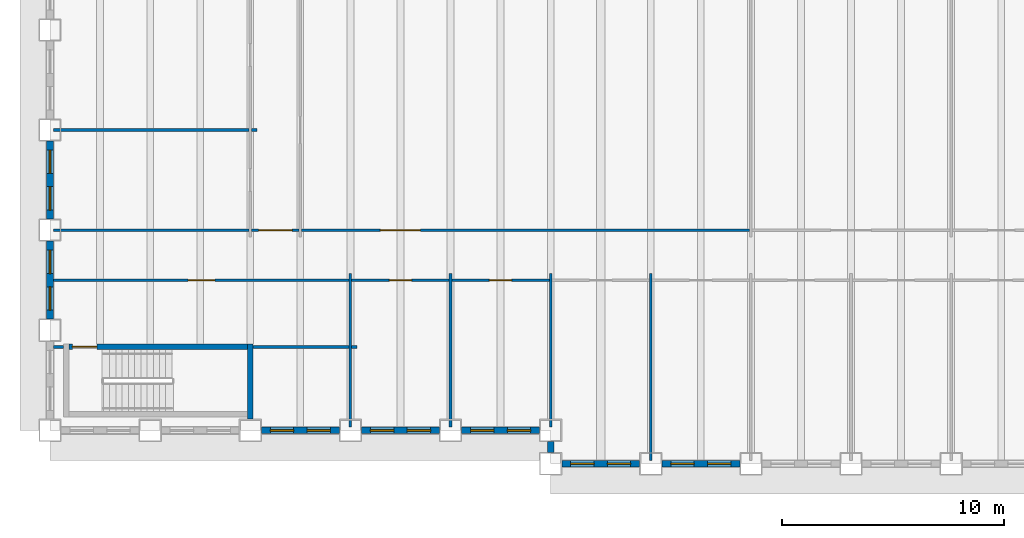
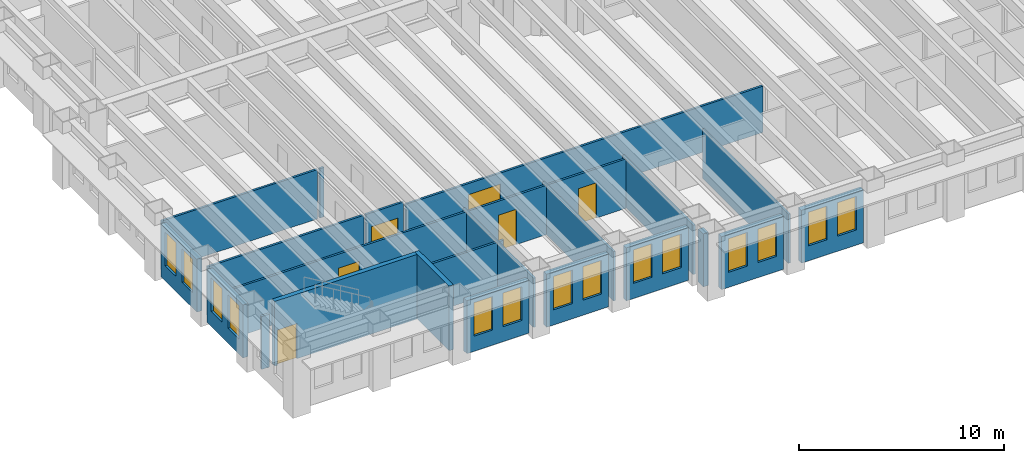
# One storey, part 3 of 16: 25 walls, 14 windows, 6 doors, 20 openings.
"""IFC4 building model written with IfcOpenShell, lengths in metres."""

from ifc_helpers import new_model, si_unit, direction, frame, frame_2d, origin, place, context, subcontext, project, spatial, rectangle, extrude, material, layer, layer_set, type_object, element, fill, save


model = new_model("IFC4")

# Units and contexts
model_context = context("Model", 3, precision=1e-05, world=origin(), true_north=direction((0.0, 1.0)))
body_context = subcontext(model_context, "Body", "Model", "MODEL_VIEW")
ifc_project = project(units=[si_unit("LENGTHUNIT", "METRE"), si_unit("AREAUNIT", "SQUARE_METRE"), si_unit("VOLUMEUNIT", "CUBIC_METRE"), si_unit("PLANEANGLEUNIT", "RADIAN"), si_unit("MASSUNIT", "GRAM", prefix="KILO")], contexts=[model_context])

# Site, building, storey
site_placement = place(None, origin())
site = spatial("IfcSite", under=ifc_project, at=site_placement, CompositionType="ELEMENT")
building_placement = place(site_placement, origin())
building = spatial("IfcBuilding", under=site, at=building_placement, Name="Sennacour Bend Tower", CompositionType="ELEMENT")
storey_placement = place(building_placement, frame((0.0, 0.0, 111.0)))
storey = spatial("IfcBuildingStorey", under=building, at=storey_placement, Name="L25", CompositionType="ELEMENT", Elevation=111.0)

# Walls
ifc_material_1 = material(Name="Plasterboard partition on steel studs", Category="steel")
ifc_layer_1 = layer(ifc_material_1, 0.1201171875, Name="Plasterboard partition on steel studs", Category="steel")
ifc_layer_set_1 = layer_set([ifc_layer_1], Name="Plasterboard partition on steel studs")
wall_type_1 = type_object("IfcWallType", Name="Partition 120", PredefinedType="PARTITIONING", material=ifc_layer_set_1)
for number, where, z_axis, x_axis, name in (
    (1, (13.5, 0.14990234375, 0.0), (0.0, 0.0, 1.0), (0.0, 1.0, 0.0), "P-L25-W014a"),
    (2, (18.0, 0.14990234375, 0.0), (0.0, 0.0, 1.0), (0.0, 1.0, 0.0), "P-L25-W018a"),
    (3, (22.5, 0.14990234375, 0.0), (0.0, 0.0, 1.0), (0.0, 1.0, 0.0), "P-L25-W023a"),
):
    element("IfcWall", number, at=place(storey_placement, frame(where, z_axis=z_axis, x_axis=x_axis)), inside=storey, type_object=wall_type_1, Name=name, PredefinedType="PARTITIONING", context=body_context, shape_type="SweptSolid", body=[
        extrude(rectangle(XDim=6.900146484375, YDim=0.1201171875, at=frame_2d((3.4501953125, 0.0))), origin(), (0.0, 0.0, 1.0), 2.93798828125),
    ])
wall_1_placement = place(storey_placement, frame((27.0, -1.35009765625, 0.0), z_axis=(0.0, 0.0, 1.0), x_axis=(0.0, 1.0, 0.0)))
element("IfcWall", 4, at=wall_1_placement, inside=storey, type_object=wall_type_1, Name="P-L25-W025a", PredefinedType="PARTITIONING", context=body_context, shape_type="SweptSolid", body=[
    extrude(rectangle(XDim=8.400146484375, YDim=0.1201171875, at=frame_2d((4.2001953125, 0.0))), origin(), (0.0, 0.0, 1.0), 2.93798828125),
])
wall_2_placement = place(storey_placement, frame((0.14990234375, 3.75, 0.0), z_axis=(0.0, 0.0, 1.0), x_axis=(1.0, 0.0, 0.0)))
element("IfcWall", 5, at=wall_2_placement, inside=storey, type_object=wall_type_1, Name="P-L25-W049a", PredefinedType="PARTITIONING", context=body_context, shape_type="SweptSolid", body=[
    extrude(rectangle(XDim=0.4501953125, YDim=0.1201171875, at=frame_2d((0.22509765625, 0.0))), origin(), (0.0, 0.0, 1.0), 3.154052734375),
])
wall_3_placement = place(storey_placement, frame((9.125, 3.75, 0.0), z_axis=(0.0, 0.0, 1.0), x_axis=(1.0, 0.0, 0.0)))
element("IfcWall", 6, at=wall_3_placement, inside=storey, type_object=wall_type_1, Name="P-L25-W051aa", PredefinedType="PARTITIONING", context=body_context, shape_type="SweptSolid", body=[
    extrude(rectangle(XDim=4.31494140625, YDim=0.1201171875, at=frame_2d((2.157470703125, 0.0))), origin(), (0.0, 0.0, 1.0), 2.93798828125),
])
wall_4_placement = place(storey_placement, frame((13.56005859375, 3.75, 0.0), z_axis=(0.0, 0.0, 1.0), x_axis=(1.0, 0.0, 0.0)))
element("IfcWall", 7, at=wall_4_placement, inside=storey, type_object=wall_type_1, Name="P-L25-W051ab", PredefinedType="PARTITIONING", context=body_context, shape_type="SweptSolid", body=[
    extrude(rectangle(XDim=0.239990234375, YDim=0.1201171875, at=frame_2d((0.1201171875, 0.0))), origin(), (0.0, 0.0, 1.0), 2.93798828125),
])

# Wall, opening, door
wall_5_placement = place(storey_placement, frame((13.56005859375, 6.75, 0.0), z_axis=(0.0, 0.0, 1.0), x_axis=(1.0, 0.0, 0.0)))
wall_5 = element("IfcWall", 8, at=wall_5_placement, inside=storey, type_object=wall_type_1, Name="P-L25-W056ab", PredefinedType="PARTITIONING", context=body_context, shape_type="SweptSolid", body=[
    extrude(rectangle(XDim=4.3798828125, YDim=0.1201171875, at=frame_2d((2.18994140625, 0.0))), origin(), (0.0, 0.0, 1.0), 2.93798828125),
])
opening_1_placement = place(wall_5_placement, frame((1.68994140625, 0.0, 0.0)))
opening_1 = element("IfcOpeningElement", 9, at=opening_1_placement, cuts=wall_5, Name="Opening OD2", PredefinedType="OPENING", context=body_context, shape_type="SweptSolid", body=[
    extrude(rectangle(XDim=1.0, YDim=2.10009765625, at=frame_2d((0.5, 1.050048828125))), frame((0.0, 0.070068359375, 0.0), z_axis=(0.0, -1.0, 0.0), x_axis=(1.0, 0.0, 0.0)), (0.0, 0.0, 1.0), 0.14013671875),
])
ifc_material_2 = material(Name="Timber", Category="wood")
door_type_1 = type_object("IfcDoorType", Name="DR-OFFICE-1000", OperationType="NOTDEFINED", PredefinedType="DOOR", material=ifc_material_2)
door_1_placement = place(opening_1_placement, origin())
door_1 = element("IfcDoor", 10, at=door_1_placement, inside=storey, type_object=door_type_1, Name="Door", OperationType="SINGLE_SWING_LEFT", OverallHeight=2.10009765625, OverallWidth=1.0, PredefinedType="DOOR", context=body_context, shape_type="SweptSolid", body=[
    extrude(rectangle(XDim=1.0, YDim=2.10009765625, at=frame_2d((0.5, 1.050048828125))), frame((0.0, 0.02490234375, 0.0), z_axis=(0.0, -1.0, 0.0), x_axis=(1.0, 0.0, 0.0)), (0.0, 0.0, 1.0), 0.050048828125),
])
fill(opening_1, door_1)

wall_6_placement = place(storey_placement, frame((18.06005859375, 6.75, 0.0), z_axis=(0.0, 0.0, 1.0), x_axis=(1.0, 0.0, 0.0)))
wall_6 = element("IfcWall", 11, at=wall_6_placement, inside=storey, type_object=wall_type_1, Name="P-L25-W056ac", PredefinedType="PARTITIONING", context=body_context, shape_type="SweptSolid", body=[
    extrude(rectangle(XDim=4.3798828125, YDim=0.1201171875, at=frame_2d((2.18994140625, 0.0))), origin(), (0.0, 0.0, 1.0), 2.93798828125),
])
opening_2_placement = place(wall_6_placement, frame((1.68994140625, 0.0, 0.0)))
opening_2 = element("IfcOpeningElement", 12, at=opening_2_placement, cuts=wall_6, Name="Opening OD2", PredefinedType="OPENING", context=body_context, shape_type="SweptSolid", body=[
    extrude(rectangle(XDim=1.0, YDim=2.10009765625, at=frame_2d((0.5, 1.050048828125))), frame((0.0, 0.070068359375, 0.0), z_axis=(0.0, -1.0, 0.0), x_axis=(1.0, 0.0, 0.0)), (0.0, 0.0, 1.0), 0.14013671875),
])
door_2_placement = place(opening_2_placement, origin())
door_2 = element("IfcDoor", 13, at=door_2_placement, inside=storey, type_object=door_type_1, Name="Door", OperationType="SINGLE_SWING_LEFT", OverallHeight=2.10009765625, OverallWidth=1.0, PredefinedType="DOOR", context=body_context, shape_type="SweptSolid", body=[
    extrude(rectangle(XDim=1.0, YDim=2.10009765625, at=frame_2d((0.5, 1.050048828125))), frame((0.0, 0.02490234375, 0.0), z_axis=(0.0, -1.0, 0.0), x_axis=(1.0, 0.0, 0.0)), (0.0, 0.0, 1.0), 0.050048828125),
])
fill(opening_2, door_2)

# Wall
wall_7_placement = place(storey_placement, frame((0.14990234375, 9.0, 0.0), z_axis=(0.0, 0.0, 1.0), x_axis=(1.0, 0.0, 0.0)))
element("IfcWall", 14, at=wall_7_placement, inside=storey, type_object=wall_type_1, Name="P-L25-W057aa", PredefinedType="PARTITIONING", context=body_context, shape_type="SweptSolid", body=[
    extrude(rectangle(XDim=8.7900390625, YDim=0.1201171875, at=frame_2d((4.39501953125, 0.0))), origin(), (0.0, 0.0, 1.0), 2.93798828125),
])

# Wall, opening, door
wall_8_placement = place(storey_placement, frame((11.31005859375, 9.0, 0.0), z_axis=(0.0, 0.0, 1.0), x_axis=(1.0, 0.0, 0.0)))
wall_8 = element("IfcWall", 15, at=wall_8_placement, inside=storey, type_object=wall_type_1, Name="P-L25-W057ac", PredefinedType="PARTITIONING", context=body_context, shape_type="SweptSolid", body=[
    extrude(rectangle(XDim=20.1298828125, YDim=0.1201171875, at=frame_2d((10.06494140625, 0.0))), origin(), (0.0, 0.0, 1.0), 2.760009765625),
])
opening_3_placement = place(wall_8_placement, frame((3.539794921875, 0.0, 0.0)))
opening_3 = element("IfcOpeningElement", 16, at=opening_3_placement, cuts=wall_8, Name="Opening OD3", PredefinedType="OPENING", context=body_context, shape_type="SweptSolid", body=[
    extrude(rectangle(XDim=1.800048828125, YDim=2.10009765625, at=frame_2d((0.89990234375, 1.050048828125))), frame((0.0, 0.070068359375, 0.0), z_axis=(0.0, -1.0, 0.0), x_axis=(1.0, 0.0, 0.0)), (0.0, 0.0, 1.0), 0.14013671875),
])
door_type_2 = type_object("IfcDoorType", Name="DR-OFFICE-1800", OperationType="NOTDEFINED", PredefinedType="DOOR", material=ifc_material_2)
door_3_placement = place(opening_3_placement, origin())
door_3 = element("IfcDoor", 17, at=door_3_placement, inside=storey, type_object=door_type_2, Name="Door", OperationType="DOUBLE_DOOR_SINGLE_SWING", OverallHeight=2.10009765625, OverallWidth=1.800048828125, PredefinedType="DOOR", context=body_context, shape_type="SweptSolid", body=[
    extrude(rectangle(XDim=1.800048828125, YDim=2.10009765625, at=frame_2d((0.89990234375, 1.050048828125))), frame((0.0, 0.02490234375, 0.0), z_axis=(0.0, -1.0, 0.0), x_axis=(1.0, 0.0, 0.0)), (0.0, 0.0, 1.0), 0.050048828125),
])
fill(opening_3, door_3)

# Walls
wall_9_placement = place(storey_placement, frame((0.14990234375, 13.5, 0.0), z_axis=(0.0, 0.0, 1.0), x_axis=(1.0, 0.0, 0.0)))
element("IfcWall", 18, at=wall_9_placement, inside=storey, type_object=wall_type_1, Name="P-L25-W060aa", PredefinedType="PARTITIONING", context=body_context, shape_type="SweptSolid", body=[
    extrude(rectangle(XDim=8.7900390625, YDim=0.1201171875, at=frame_2d((4.39501953125, 0.0))), origin(), (0.0, 0.0, 1.0), 2.93798828125),
])
wall_10_placement = place(storey_placement, frame((9.06005859375, 13.5, 0.0), z_axis=(0.0, 0.0, 1.0), x_axis=(1.0, 0.0, 0.0)))
element("IfcWall", 19, at=wall_10_placement, inside=storey, type_object=wall_type_1, Name="P-L25-W060ab", PredefinedType="PARTITIONING", context=body_context, shape_type="SweptSolid", body=[
    extrude(rectangle(XDim=0.239990234375, YDim=0.1201171875, at=frame_2d((0.1201171875, 0.0))), origin(), (0.0, 0.0, 1.0), 2.93798828125),
])

# Wall, opening, door
ifc_layer_2 = layer(ifc_material_1, 0.1201171875, Name="Plasterboard partition on steel studs", Category="steel")
ifc_layer_set_2 = layer_set([ifc_layer_2], Name="Plasterboard partition on steel studs")
wall_type_2 = type_object("IfcWallType", Name="Partition 120 EI 30", PredefinedType="PARTITIONING", material=ifc_layer_set_2)
wall_11_placement = place(storey_placement, frame((0.14990234375, 6.75, 0.0), z_axis=(0.0, 0.0, 1.0), x_axis=(1.0, 0.0, 0.0)))
wall_11 = element("IfcWall", 20, at=wall_11_placement, inside=storey, type_object=wall_type_2, Name="P-L25-W056aa", PredefinedType="PARTITIONING", context=body_context, shape_type="SweptSolid", body=[
    extrude(rectangle(XDim=13.2900390625, YDim=0.1201171875, at=frame_2d((6.64501953125, 0.0))), origin(), (0.0, 0.0, 1.0), 2.93798828125),
])
opening_4_placement = place(wall_11_placement, frame((6.05517578125, 0.0, 0.0)))
opening_4 = element("IfcOpeningElement", 21, at=opening_4_placement, cuts=wall_11, Name="Opening KD2", PredefinedType="OPENING", context=body_context, shape_type="SweptSolid", body=[
    extrude(rectangle(XDim=1.199951171875, YDim=2.10009765625, at=frame_2d((0.60009765625, 1.050048828125))), frame((0.0, 0.070068359375, 0.0), z_axis=(0.0, -1.0, 0.0), x_axis=(1.0, 0.0, 0.0)), (0.0, 0.0, 1.0), 0.14013671875),
])
ifc_material_3 = material(Name="Painted steel", Category="steel")
door_type_3 = type_object("IfcDoorType", Name="DR-CORRIDOR-1200", OperationType="NOTDEFINED", PredefinedType="DOOR", material=ifc_material_3)
door_4_placement = place(opening_4_placement, origin())
door_4 = element("IfcDoor", 22, at=door_4_placement, inside=storey, type_object=door_type_3, Name="Door", OperationType="SINGLE_SWING_LEFT", OverallHeight=2.10009765625, OverallWidth=1.199951171875, PredefinedType="DOOR", context=body_context, shape_type="SweptSolid", body=[
    extrude(rectangle(XDim=1.199951171875, YDim=2.10009765625, at=frame_2d((0.60009765625, 1.050048828125))), frame((0.0, 0.02490234375, 0.0), z_axis=(0.0, -1.0, 0.0), x_axis=(1.0, 0.0, 0.0)), (0.0, 0.0, 1.0), 0.050048828125),
])
fill(opening_4, door_4)

wall_12_placement = place(storey_placement, frame((9.06005859375, 9.0, 0.0), z_axis=(0.0, 0.0, 1.0), x_axis=(1.0, 0.0, 0.0)))
wall_12 = element("IfcWall", 23, at=wall_12_placement, inside=storey, type_object=wall_type_2, Name="P-L25-W057ab", PredefinedType="PARTITIONING", context=body_context, shape_type="SweptSolid", body=[
    extrude(rectangle(XDim=2.1298828125, YDim=0.1201171875, at=frame_2d((1.06494140625, 0.0))), origin(), (0.0, 0.0, 1.0), 2.93798828125),
])
opening_5_placement = place(wall_12_placement, frame((0.31494140625, 0.0, 0.0)))
opening_5 = element("IfcOpeningElement", 24, at=opening_5_placement, cuts=wall_12, Name="Opening KD", PredefinedType="OPENING", context=body_context, shape_type="SweptSolid", body=[
    extrude(rectangle(XDim=1.5, YDim=2.10009765625, at=frame_2d((0.75, 1.050048828125))), frame((0.0, 0.070068359375, 0.0), z_axis=(0.0, -1.0, 0.0), x_axis=(1.0, 0.0, 0.0)), (0.0, 0.0, 1.0), 0.14013671875),
])
door_type_4 = type_object("IfcDoorType", Name="DR-CORRIDOR-1500", OperationType="NOTDEFINED", PredefinedType="DOOR", material=ifc_material_3)
door_5_placement = place(opening_5_placement, origin())
door_5 = element("IfcDoor", 25, at=door_5_placement, inside=storey, type_object=door_type_4, Name="Door", OperationType="SINGLE_SWING_LEFT", OverallHeight=2.10009765625, OverallWidth=1.5, PredefinedType="DOOR", context=body_context, shape_type="SweptSolid", body=[
    extrude(rectangle(XDim=1.5, YDim=2.10009765625, at=frame_2d((0.75, 1.050048828125))), frame((0.0, 0.02490234375, 0.0), z_axis=(0.0, -1.0, 0.0), x_axis=(1.0, 0.0, 0.0)), (0.0, 0.0, 1.0), 0.050048828125),
])
fill(opening_5, door_5)

# Wall, openings, windows
ifc_material_4 = material(Name="Warm limestone cladding", Category="masonry")
ifc_layer_3 = layer(ifc_material_4, 0.050048828125, Name="Warm limestone cladding", Category="masonry")
ifc_material_5 = material(Name="Precast concrete C40/50", Category="concrete")
ifc_layer_4 = layer(ifc_material_5, 0.25, Name="Precast concrete C40/50", Category="concrete")
ifc_layer_set_3 = layer_set([ifc_layer_3, ifc_layer_4], Name="Precast concrete C40/50 with limestone cladding")
wall_type_3 = type_object("IfcWallType", Name="STONE-CLAD PRECAST SPANDREL 300", PredefinedType="STANDARD", material=ifc_layer_set_3)
wall_13_placement = place(storey_placement, frame((23.0, -1.5, 0.0), z_axis=(0.0, 0.0, 1.0), x_axis=(1.0, 0.0, 0.0)))
wall_13 = element("IfcWall", 26, at=wall_13_placement, inside=storey, type_object=wall_type_3, Name="Stone spandrel and pier wall L25 00.00", PredefinedType="STANDARD", context=body_context, shape_type="SweptSolid", body=[
    extrude(rectangle(XDim=3.5, YDim=0.300048828125, at=frame_2d((1.75, 0.0))), origin(), (0.0, 0.0, 1.0), 3.154052734375),
])
opening_6_placement = place(wall_13_placement, frame((0.39990234375, 0.0, 0.89990234375)))
opening_6 = element("IfcOpeningElement", 27, at=opening_6_placement, cuts=wall_13, Name="Opening W13", PredefinedType="OPENING", context=body_context, shape_type="SweptSolid", body=[
    extrude(rectangle(XDim=1.050048828125, YDim=2.0, at=frame_2d((0.52490234375, 1.0))), frame((0.0, 0.16015625, 0.0), z_axis=(0.0, -1.0, 0.0), x_axis=(1.0, 0.0, 0.0)), (0.0, 0.0, 1.0), 0.320068359375),
])
opening_7_placement = place(wall_13_placement, frame((2.050048828125, 0.0, 0.89990234375)))
opening_7 = element("IfcOpeningElement", 28, at=opening_7_placement, cuts=wall_13, Name="Opening W13", PredefinedType="OPENING", context=body_context, shape_type="SweptSolid", body=[
    extrude(rectangle(XDim=1.050048828125, YDim=2.0, at=frame_2d((0.52490234375, 1.0))), frame((0.0, 0.16015625, 0.0), z_axis=(0.0, -1.0, 0.0), x_axis=(1.0, 0.0, 0.0)), (0.0, 0.0, 1.0), 0.320068359375),
])
ifc_material_6 = material(Name="Clear low-emissivity glass", Category="glass")
window_type = type_object("IfcWindowType", Name="WIN-RIBBON-1050x2000", PartitioningType="SINGLE_PANEL", PredefinedType="WINDOW", material=ifc_material_6)
window_1_placement = place(opening_6_placement, origin())
window_1 = element("IfcWindow", 29, at=window_1_placement, inside=storey, type_object=window_type, Name="Ribbon window L25 00.00.0", OverallHeight=2.0, OverallWidth=1.050048828125, PartitioningType="SINGLE_PANEL", PredefinedType="WINDOW", context=body_context, shape_type="SweptSolid", body=[
    extrude(rectangle(XDim=1.050048828125, YDim=2.0, at=frame_2d((0.52490234375, 1.0))), frame((0.0, 0.030029296875, 0.0), z_axis=(0.0, -1.0, 0.0), x_axis=(1.0, 0.0, 0.0)), (0.0, 0.0, 1.0), 0.06005859375),
])
fill(opening_6, window_1)
window_2_placement = place(opening_7_placement, origin())
window_2 = element("IfcWindow", 30, at=window_2_placement, inside=storey, type_object=window_type, Name="Ribbon window L25 00.00.1", OverallHeight=2.0, OverallWidth=1.050048828125, PartitioningType="SINGLE_PANEL", PredefinedType="WINDOW", context=body_context, shape_type="SweptSolid", body=[
    extrude(rectangle(XDim=1.050048828125, YDim=2.0, at=frame_2d((0.52490234375, 1.0))), frame((0.0, 0.030029296875, 0.0), z_axis=(0.0, -1.0, 0.0), x_axis=(1.0, 0.0, 0.0)), (0.0, 0.0, 1.0), 0.06005859375),
])
fill(opening_7, window_2)

wall_14_placement = place(storey_placement, frame((27.5, -1.5, 0.0), z_axis=(0.0, 0.0, 1.0), x_axis=(1.0, 0.0, 0.0)))
wall_14 = element("IfcWall", 31, at=wall_14_placement, inside=storey, type_object=wall_type_3, Name="Stone spandrel and pier wall L25 00.01", PredefinedType="STANDARD", context=body_context, shape_type="SweptSolid", body=[
    extrude(rectangle(XDim=3.5, YDim=0.300048828125, at=frame_2d((1.75, 0.0))), origin(), (0.0, 0.0, 1.0), 3.154052734375),
])
opening_8_placement = place(wall_14_placement, frame((0.39990234375, 0.0, 0.89990234375)))
opening_8 = element("IfcOpeningElement", 32, at=opening_8_placement, cuts=wall_14, Name="Opening W13", PredefinedType="OPENING", context=body_context, shape_type="SweptSolid", body=[
    extrude(rectangle(XDim=1.050048828125, YDim=2.0, at=frame_2d((0.52490234375, 1.0))), frame((0.0, 0.16015625, 0.0), z_axis=(0.0, -1.0, 0.0), x_axis=(1.0, 0.0, 0.0)), (0.0, 0.0, 1.0), 0.320068359375),
])
opening_9_placement = place(wall_14_placement, frame((2.050048828125, 0.0, 0.89990234375)))
opening_9 = element("IfcOpeningElement", 33, at=opening_9_placement, cuts=wall_14, Name="Opening W13", PredefinedType="OPENING", context=body_context, shape_type="SweptSolid", body=[
    extrude(rectangle(XDim=1.050048828125, YDim=2.0, at=frame_2d((0.52490234375, 1.0))), frame((0.0, 0.16015625, 0.0), z_axis=(0.0, -1.0, 0.0), x_axis=(1.0, 0.0, 0.0)), (0.0, 0.0, 1.0), 0.320068359375),
])
window_3_placement = place(opening_8_placement, origin())
window_3 = element("IfcWindow", 34, at=window_3_placement, inside=storey, type_object=window_type, Name="Ribbon window L25 00.01.0", OverallHeight=2.0, OverallWidth=1.050048828125, PartitioningType="SINGLE_PANEL", PredefinedType="WINDOW", context=body_context, shape_type="SweptSolid", body=[
    extrude(rectangle(XDim=1.050048828125, YDim=2.0, at=frame_2d((0.52490234375, 1.0))), frame((0.0, 0.030029296875, 0.0), z_axis=(0.0, -1.0, 0.0), x_axis=(1.0, 0.0, 0.0)), (0.0, 0.0, 1.0), 0.06005859375),
])
fill(opening_8, window_3)
window_4_placement = place(opening_9_placement, origin())
window_4 = element("IfcWindow", 35, at=window_4_placement, inside=storey, type_object=window_type, Name="Ribbon window L25 00.01.1", OverallHeight=2.0, OverallWidth=1.050048828125, PartitioningType="SINGLE_PANEL", PredefinedType="WINDOW", context=body_context, shape_type="SweptSolid", body=[
    extrude(rectangle(XDim=1.050048828125, YDim=2.0, at=frame_2d((0.52490234375, 1.0))), frame((0.0, 0.030029296875, 0.0), z_axis=(0.0, -1.0, 0.0), x_axis=(1.0, 0.0, 0.0)), (0.0, 0.0, 1.0), 0.06005859375),
])
fill(opening_9, window_4)

wall_15_placement = place(storey_placement, frame((0.0, 13.0, 0.0), z_axis=(0.0, 0.0, 1.0), x_axis=(0.0, -1.0, 0.0)))
wall_15 = element("IfcWall", 36, at=wall_15_placement, inside=storey, type_object=wall_type_3, Name="Stone spandrel and pier wall L25 21.02", PredefinedType="STANDARD", context=body_context, shape_type="SweptSolid", body=[
    extrude(rectangle(XDim=3.5, YDim=0.300048828125, at=frame_2d((1.75, 0.0))), origin(), (0.0, 0.0, 1.0), 3.154052734375),
])
opening_10_placement = place(wall_15_placement, frame((0.39990234375, 0.0, 0.89990234375)))
opening_10 = element("IfcOpeningElement", 37, at=opening_10_placement, cuts=wall_15, Name="Opening W13", PredefinedType="OPENING", context=body_context, shape_type="SweptSolid", body=[
    extrude(rectangle(XDim=1.050048828125, YDim=2.0, at=frame_2d((0.52490234375, 1.0))), frame((0.0, 0.16015625, 0.0), z_axis=(0.0, -1.0, 0.0), x_axis=(1.0, 0.0, 0.0)), (0.0, 0.0, 1.0), 0.320068359375),
])
opening_11_placement = place(wall_15_placement, frame((2.050048828125, 0.0, 0.89990234375)))
opening_11 = element("IfcOpeningElement", 38, at=opening_11_placement, cuts=wall_15, Name="Opening W13", PredefinedType="OPENING", context=body_context, shape_type="SweptSolid", body=[
    extrude(rectangle(XDim=1.050048828125, YDim=2.0, at=frame_2d((0.52490234375, 1.0))), frame((0.0, 0.16015625, 0.0), z_axis=(0.0, -1.0, 0.0), x_axis=(1.0, 0.0, 0.0)), (0.0, 0.0, 1.0), 0.320068359375),
])
window_5_placement = place(opening_10_placement, origin())
window_5 = element("IfcWindow", 39, at=window_5_placement, inside=storey, type_object=window_type, Name="Ribbon window L25 21.02.0", OverallHeight=2.0, OverallWidth=1.050048828125, PartitioningType="SINGLE_PANEL", PredefinedType="WINDOW", context=body_context, shape_type="SweptSolid", body=[
    extrude(rectangle(XDim=1.050048828125, YDim=2.0, at=frame_2d((0.52490234375, 1.0))), frame((0.0, 0.030029296875, 0.0), z_axis=(0.0, -1.0, 0.0), x_axis=(1.0, 0.0, 0.0)), (0.0, 0.0, 1.0), 0.06005859375),
])
fill(opening_10, window_5)
window_6_placement = place(opening_11_placement, origin())
window_6 = element("IfcWindow", 40, at=window_6_placement, inside=storey, type_object=window_type, Name="Ribbon window L25 21.02.1", OverallHeight=2.0, OverallWidth=1.050048828125, PartitioningType="SINGLE_PANEL", PredefinedType="WINDOW", context=body_context, shape_type="SweptSolid", body=[
    extrude(rectangle(XDim=1.050048828125, YDim=2.0, at=frame_2d((0.52490234375, 1.0))), frame((0.0, 0.030029296875, 0.0), z_axis=(0.0, -1.0, 0.0), x_axis=(1.0, 0.0, 0.0)), (0.0, 0.0, 1.0), 0.06005859375),
])
fill(opening_11, window_6)

wall_16_placement = place(storey_placement, frame((0.0, 8.5, 0.0), z_axis=(0.0, 0.0, 1.0), x_axis=(0.0, -1.0, 0.0)))
wall_16 = element("IfcWall", 41, at=wall_16_placement, inside=storey, type_object=wall_type_3, Name="Stone spandrel and pier wall L25 21.03", PredefinedType="STANDARD", context=body_context, shape_type="SweptSolid", body=[
    extrude(rectangle(XDim=3.5, YDim=0.300048828125, at=frame_2d((1.75, 0.0))), origin(), (0.0, 0.0, 1.0), 3.154052734375),
])
opening_12_placement = place(wall_16_placement, frame((0.39990234375, 0.0, 0.89990234375)))
opening_12 = element("IfcOpeningElement", 42, at=opening_12_placement, cuts=wall_16, Name="Opening W13", PredefinedType="OPENING", context=body_context, shape_type="SweptSolid", body=[
    extrude(rectangle(XDim=1.050048828125, YDim=2.0, at=frame_2d((0.52490234375, 1.0))), frame((0.0, 0.16015625, 0.0), z_axis=(0.0, -1.0, 0.0), x_axis=(1.0, 0.0, 0.0)), (0.0, 0.0, 1.0), 0.320068359375),
])
opening_13_placement = place(wall_16_placement, frame((2.050048828125, 0.0, 0.89990234375)))
opening_13 = element("IfcOpeningElement", 43, at=opening_13_placement, cuts=wall_16, Name="Opening W13", PredefinedType="OPENING", context=body_context, shape_type="SweptSolid", body=[
    extrude(rectangle(XDim=1.050048828125, YDim=2.0, at=frame_2d((0.52490234375, 1.0))), frame((0.0, 0.16015625, 0.0), z_axis=(0.0, -1.0, 0.0), x_axis=(1.0, 0.0, 0.0)), (0.0, 0.0, 1.0), 0.320068359375),
])
window_7_placement = place(opening_12_placement, origin())
window_7 = element("IfcWindow", 44, at=window_7_placement, inside=storey, type_object=window_type, Name="Ribbon window L25 21.03.0", OverallHeight=2.0, OverallWidth=1.050048828125, PartitioningType="SINGLE_PANEL", PredefinedType="WINDOW", context=body_context, shape_type="SweptSolid", body=[
    extrude(rectangle(XDim=1.050048828125, YDim=2.0, at=frame_2d((0.52490234375, 1.0))), frame((0.0, 0.030029296875, 0.0), z_axis=(0.0, -1.0, 0.0), x_axis=(1.0, 0.0, 0.0)), (0.0, 0.0, 1.0), 0.06005859375),
])
fill(opening_12, window_7)
window_8_placement = place(opening_13_placement, origin())
window_8 = element("IfcWindow", 45, at=window_8_placement, inside=storey, type_object=window_type, Name="Ribbon window L25 21.03.1", OverallHeight=2.0, OverallWidth=1.050048828125, PartitioningType="SINGLE_PANEL", PredefinedType="WINDOW", context=body_context, shape_type="SweptSolid", body=[
    extrude(rectangle(XDim=1.050048828125, YDim=2.0, at=frame_2d((0.52490234375, 1.0))), frame((0.0, 0.030029296875, 0.0), z_axis=(0.0, -1.0, 0.0), x_axis=(1.0, 0.0, 0.0)), (0.0, 0.0, 1.0), 0.06005859375),
])
fill(opening_13, window_8)

wall_17_placement = place(storey_placement, frame((9.5, 0.0, 0.0), z_axis=(0.0, 0.0, 1.0), x_axis=(1.0, 0.0, 0.0)))
wall_17 = element("IfcWall", 46, at=wall_17_placement, inside=storey, type_object=wall_type_3, Name="Stone spandrel and pier wall L25 22.02", PredefinedType="STANDARD", context=body_context, shape_type="SweptSolid", body=[
    extrude(rectangle(XDim=3.5, YDim=0.300048828125, at=frame_2d((1.75, 0.0))), origin(), (0.0, 0.0, 1.0), 3.154052734375),
])
opening_14_placement = place(wall_17_placement, frame((0.39990234375, 0.0, 0.89990234375)))
opening_14 = element("IfcOpeningElement", 47, at=opening_14_placement, cuts=wall_17, Name="Opening W13", PredefinedType="OPENING", context=body_context, shape_type="SweptSolid", body=[
    extrude(rectangle(XDim=1.050048828125, YDim=2.0, at=frame_2d((0.52490234375, 1.0))), frame((0.0, 0.16015625, 0.0), z_axis=(0.0, -1.0, 0.0), x_axis=(1.0, 0.0, 0.0)), (0.0, 0.0, 1.0), 0.320068359375),
])
opening_15_placement = place(wall_17_placement, frame((2.050048828125, 0.0, 0.89990234375)))
opening_15 = element("IfcOpeningElement", 48, at=opening_15_placement, cuts=wall_17, Name="Opening W13", PredefinedType="OPENING", context=body_context, shape_type="SweptSolid", body=[
    extrude(rectangle(XDim=1.050048828125, YDim=2.0, at=frame_2d((0.52490234375, 1.0))), frame((0.0, 0.16015625, 0.0), z_axis=(0.0, -1.0, 0.0), x_axis=(1.0, 0.0, 0.0)), (0.0, 0.0, 1.0), 0.320068359375),
])
window_9_placement = place(opening_14_placement, origin())
window_9 = element("IfcWindow", 49, at=window_9_placement, inside=storey, type_object=window_type, Name="Ribbon window L25 22.02.0", OverallHeight=2.0, OverallWidth=1.050048828125, PartitioningType="SINGLE_PANEL", PredefinedType="WINDOW", context=body_context, shape_type="SweptSolid", body=[
    extrude(rectangle(XDim=1.050048828125, YDim=2.0, at=frame_2d((0.52490234375, 1.0))), frame((0.0, 0.030029296875, 0.0), z_axis=(0.0, -1.0, 0.0), x_axis=(1.0, 0.0, 0.0)), (0.0, 0.0, 1.0), 0.06005859375),
])
fill(opening_14, window_9)
window_10_placement = place(opening_15_placement, origin())
window_10 = element("IfcWindow", 50, at=window_10_placement, inside=storey, type_object=window_type, Name="Ribbon window L25 22.02.1", OverallHeight=2.0, OverallWidth=1.050048828125, PartitioningType="SINGLE_PANEL", PredefinedType="WINDOW", context=body_context, shape_type="SweptSolid", body=[
    extrude(rectangle(XDim=1.050048828125, YDim=2.0, at=frame_2d((0.52490234375, 1.0))), frame((0.0, 0.030029296875, 0.0), z_axis=(0.0, -1.0, 0.0), x_axis=(1.0, 0.0, 0.0)), (0.0, 0.0, 1.0), 0.06005859375),
])
fill(opening_15, window_10)

wall_18_placement = place(storey_placement, frame((14.0, 0.0, 0.0), z_axis=(0.0, 0.0, 1.0), x_axis=(1.0, 0.0, 0.0)))
wall_18 = element("IfcWall", 51, at=wall_18_placement, inside=storey, type_object=wall_type_3, Name="Stone spandrel and pier wall L25 22.03", PredefinedType="STANDARD", context=body_context, shape_type="SweptSolid", body=[
    extrude(rectangle(XDim=3.5, YDim=0.300048828125, at=frame_2d((1.75, 0.0))), origin(), (0.0, 0.0, 1.0), 3.154052734375),
])
opening_16_placement = place(wall_18_placement, frame((0.39990234375, 0.0, 0.89990234375)))
opening_16 = element("IfcOpeningElement", 52, at=opening_16_placement, cuts=wall_18, Name="Opening W13", PredefinedType="OPENING", context=body_context, shape_type="SweptSolid", body=[
    extrude(rectangle(XDim=1.050048828125, YDim=2.0, at=frame_2d((0.52490234375, 1.0))), frame((0.0, 0.16015625, 0.0), z_axis=(0.0, -1.0, 0.0), x_axis=(1.0, 0.0, 0.0)), (0.0, 0.0, 1.0), 0.320068359375),
])
opening_17_placement = place(wall_18_placement, frame((2.050048828125, 0.0, 0.89990234375)))
opening_17 = element("IfcOpeningElement", 53, at=opening_17_placement, cuts=wall_18, Name="Opening W13", PredefinedType="OPENING", context=body_context, shape_type="SweptSolid", body=[
    extrude(rectangle(XDim=1.050048828125, YDim=2.0, at=frame_2d((0.52490234375, 1.0))), frame((0.0, 0.16015625, 0.0), z_axis=(0.0, -1.0, 0.0), x_axis=(1.0, 0.0, 0.0)), (0.0, 0.0, 1.0), 0.320068359375),
])
window_11_placement = place(opening_16_placement, origin())
window_11 = element("IfcWindow", 54, at=window_11_placement, inside=storey, type_object=window_type, Name="Ribbon window L25 22.03.0", OverallHeight=2.0, OverallWidth=1.050048828125, PartitioningType="SINGLE_PANEL", PredefinedType="WINDOW", context=body_context, shape_type="SweptSolid", body=[
    extrude(rectangle(XDim=1.050048828125, YDim=2.0, at=frame_2d((0.52490234375, 1.0))), frame((0.0, 0.030029296875, 0.0), z_axis=(0.0, -1.0, 0.0), x_axis=(1.0, 0.0, 0.0)), (0.0, 0.0, 1.0), 0.06005859375),
])
fill(opening_16, window_11)
window_12_placement = place(opening_17_placement, origin())
window_12 = element("IfcWindow", 55, at=window_12_placement, inside=storey, type_object=window_type, Name="Ribbon window L25 22.03.1", OverallHeight=2.0, OverallWidth=1.050048828125, PartitioningType="SINGLE_PANEL", PredefinedType="WINDOW", context=body_context, shape_type="SweptSolid", body=[
    extrude(rectangle(XDim=1.050048828125, YDim=2.0, at=frame_2d((0.52490234375, 1.0))), frame((0.0, 0.030029296875, 0.0), z_axis=(0.0, -1.0, 0.0), x_axis=(1.0, 0.0, 0.0)), (0.0, 0.0, 1.0), 0.06005859375),
])
fill(opening_17, window_12)

wall_19_placement = place(storey_placement, frame((18.5, 0.0, 0.0), z_axis=(0.0, 0.0, 1.0), x_axis=(1.0, 0.0, 0.0)))
wall_19 = element("IfcWall", 56, at=wall_19_placement, inside=storey, type_object=wall_type_3, Name="Stone spandrel and pier wall L25 22.04", PredefinedType="STANDARD", context=body_context, shape_type="SweptSolid", body=[
    extrude(rectangle(XDim=3.5, YDim=0.300048828125, at=frame_2d((1.75, 0.0))), origin(), (0.0, 0.0, 1.0), 3.154052734375),
])
opening_18_placement = place(wall_19_placement, frame((0.39990234375, 0.0, 0.89990234375)))
opening_18 = element("IfcOpeningElement", 57, at=opening_18_placement, cuts=wall_19, Name="Opening W13", PredefinedType="OPENING", context=body_context, shape_type="SweptSolid", body=[
    extrude(rectangle(XDim=1.050048828125, YDim=2.0, at=frame_2d((0.52490234375, 1.0))), frame((0.0, 0.16015625, 0.0), z_axis=(0.0, -1.0, 0.0), x_axis=(1.0, 0.0, 0.0)), (0.0, 0.0, 1.0), 0.320068359375),
])
opening_19_placement = place(wall_19_placement, frame((2.050048828125, 0.0, 0.89990234375)))
opening_19 = element("IfcOpeningElement", 58, at=opening_19_placement, cuts=wall_19, Name="Opening W13", PredefinedType="OPENING", context=body_context, shape_type="SweptSolid", body=[
    extrude(rectangle(XDim=1.050048828125, YDim=2.0, at=frame_2d((0.52490234375, 1.0))), frame((0.0, 0.16015625, 0.0), z_axis=(0.0, -1.0, 0.0), x_axis=(1.0, 0.0, 0.0)), (0.0, 0.0, 1.0), 0.320068359375),
])
window_13_placement = place(opening_18_placement, origin())
window_13 = element("IfcWindow", 59, at=window_13_placement, inside=storey, type_object=window_type, Name="Ribbon window L25 22.04.0", OverallHeight=2.0, OverallWidth=1.050048828125, PartitioningType="SINGLE_PANEL", PredefinedType="WINDOW", context=body_context, shape_type="SweptSolid", body=[
    extrude(rectangle(XDim=1.050048828125, YDim=2.0, at=frame_2d((0.52490234375, 1.0))), frame((0.0, 0.030029296875, 0.0), z_axis=(0.0, -1.0, 0.0), x_axis=(1.0, 0.0, 0.0)), (0.0, 0.0, 1.0), 0.06005859375),
])
fill(opening_18, window_13)
window_14_placement = place(opening_19_placement, origin())
window_14 = element("IfcWindow", 60, at=window_14_placement, inside=storey, type_object=window_type, Name="Ribbon window L25 22.04.1", OverallHeight=2.0, OverallWidth=1.050048828125, PartitioningType="SINGLE_PANEL", PredefinedType="WINDOW", context=body_context, shape_type="SweptSolid", body=[
    extrude(rectangle(XDim=1.050048828125, YDim=2.0, at=frame_2d((0.52490234375, 1.0))), frame((0.0, 0.030029296875, 0.0), z_axis=(0.0, -1.0, 0.0), x_axis=(1.0, 0.0, 0.0)), (0.0, 0.0, 1.0), 0.06005859375),
])
fill(opening_19, window_14)

# Walls
wall_20_placement = place(storey_placement, frame((22.5, -0.5, 0.0), z_axis=(0.0, 0.0, 1.0), x_axis=(0.0, -1.0, 0.0)))
element("IfcWall", 61, at=wall_20_placement, inside=storey, type_object=wall_type_3, Name="Stone spandrel and pier wall L25 23.00", PredefinedType="STANDARD", context=body_context, shape_type="SweptSolid", body=[
    extrude(rectangle(XDim=0.5, YDim=0.300048828125, at=frame_2d((0.25, 0.0))), origin(), (0.0, 0.0, 1.0), 3.154052734375),
])
ifc_material_7 = material(Name="Concrete C60/75", Category="concrete")
ifc_layer_5 = layer(ifc_material_7, 0.25, Name="Concrete C60/75", Category="concrete")
ifc_layer_set_4 = layer_set([ifc_layer_5], Name="Concrete C60/75")
wall_type_4 = type_object("IfcWallType", Name="Stair wall 250", PredefinedType="SHEAR", material=ifc_layer_set_4)
wall_21_placement = place(storey_placement, frame((9.0, 0.5, 0.0), z_axis=(0.0, 0.0, 1.0), x_axis=(0.0, 1.0, 0.0)))
element("IfcWall", 62, at=wall_21_placement, inside=storey, type_object=wall_type_4, Name="P-L25-W009", PredefinedType="SHEAR", context=body_context, shape_type="SweptSolid", body=[
    extrude(rectangle(XDim=3.375, YDim=0.25, at=frame_2d((1.6875, 0.0))), origin(), (0.0, 0.0, 1.0), 3.85009765625),
])

# Wall, opening, door
wall_22_placement = place(storey_placement, frame((0.85009765625, 3.75, 0.0), z_axis=(0.0, 0.0, 1.0), x_axis=(1.0, 0.0, 0.0)))
wall_22 = element("IfcWall", 63, at=wall_22_placement, inside=storey, type_object=wall_type_4, Name="P-L25-W050", PredefinedType="SHEAR", context=body_context, shape_type="SweptSolid", body=[
    extrude(rectangle(XDim=8.02490234375, YDim=0.25, at=frame_2d((4.012451171875, 0.0))), origin(), (0.0, 0.0, 1.0), 3.85009765625),
])
opening_20_placement = place(wall_22_placement, frame((0.14990234375, 0.0, 0.0)))
opening_20 = element("IfcOpeningElement", 64, at=opening_20_placement, cuts=wall_22, Name="Opening SD", PredefinedType="OPENING", context=body_context, shape_type="SweptSolid", body=[
    extrude(rectangle(XDim=1.10009765625, YDim=2.10009765625, at=frame_2d((0.550048828125, 1.050048828125))), frame((0.0, 0.135009765625, 0.0), z_axis=(0.0, -1.0, 0.0), x_axis=(1.0, 0.0, 0.0)), (0.0, 0.0, 1.0), 0.27001953125),
])
door_type_5 = type_object("IfcDoorType", Name="DR-STAIR-1100", OperationType="NOTDEFINED", PredefinedType="DOOR", material=ifc_material_3)
door_6_placement = place(opening_20_placement, origin())
door_6 = element("IfcDoor", 65, at=door_6_placement, inside=storey, type_object=door_type_5, Name="Door", OperationType="SINGLE_SWING_LEFT", OverallHeight=2.10009765625, OverallWidth=1.10009765625, PredefinedType="DOOR", context=body_context, shape_type="SweptSolid", body=[
    extrude(rectangle(XDim=1.10009765625, YDim=2.10009765625, at=frame_2d((0.550048828125, 1.050048828125))), frame((0.0, 0.02490234375, 0.0), z_axis=(0.0, -1.0, 0.0), x_axis=(1.0, 0.0, 0.0)), (0.0, 0.0, 1.0), 0.050048828125),
])
fill(opening_20, door_6)

save(model, "model.ifc")
